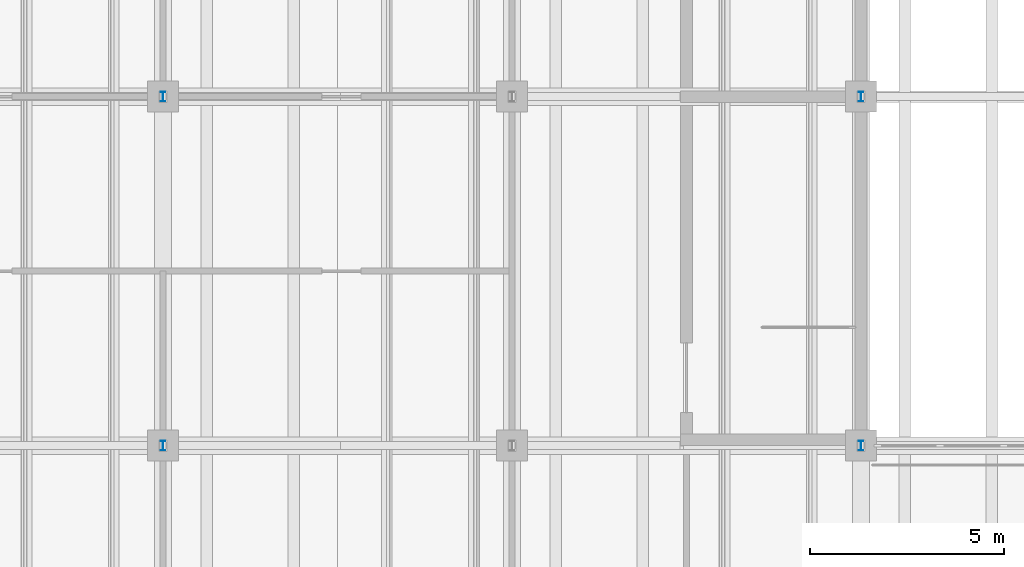
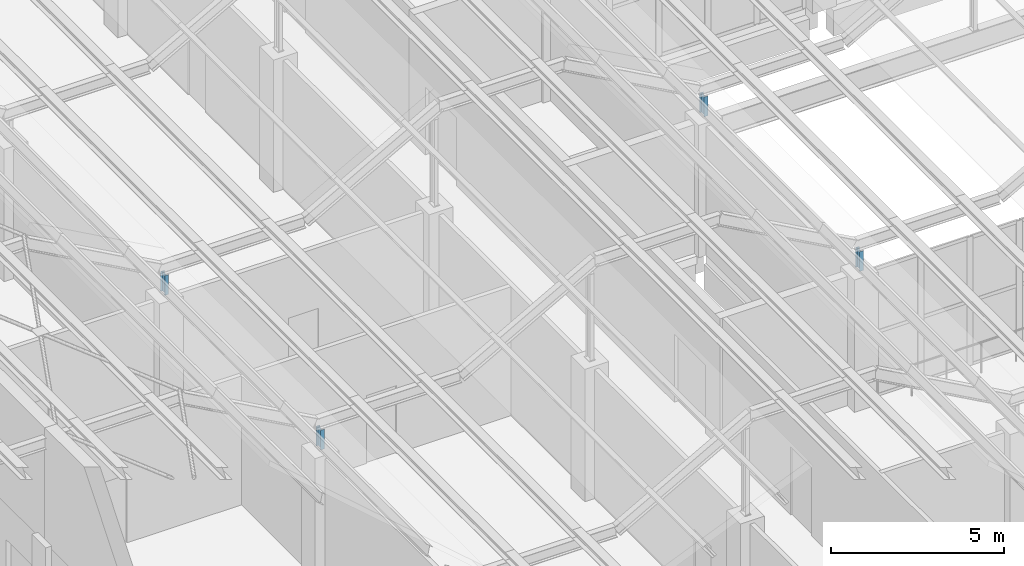
# One storey, part 224 of 437: 4 members.
"""IFC4 building model written with IfcOpenShell, lengths in metres."""

from ifc_helpers import new_model, si_unit, direction, frame, origin, origin_2d, place, context, subcontext, project, spatial, i_section, extrude, material, material_profile, profile_set, type_object, element, save


model = new_model("IFC4")

# Units and contexts
model_context = context("Model", 3, precision=1e-05, world=origin(), true_north=direction((0.0, 1.0)))
body_context = subcontext(model_context, "Body", "Model", "MODEL_VIEW")
ifc_project = project(units=[si_unit("LENGTHUNIT", "METRE"), si_unit("AREAUNIT", "SQUARE_METRE"), si_unit("VOLUMEUNIT", "CUBIC_METRE"), si_unit("PLANEANGLEUNIT", "RADIAN"), si_unit("MASSUNIT", "GRAM", prefix="KILO")], contexts=[model_context])

# Site, building, storey
site_placement = place(None, origin())
site = spatial("IfcSite", under=ifc_project, at=site_placement, CompositionType="ELEMENT")
building_placement = place(site_placement, origin())
building = spatial("IfcBuilding", under=site, at=building_placement, Name="Opaline Strait Convention Centre", CompositionType="ELEMENT")
storey_placement = place(building_placement, frame((0.0, 0.0, 11.5)))
storey = spatial("IfcBuildingStorey", under=building, at=storey_placement, Name="L02", CompositionType="ELEMENT", Elevation=11.5)

# Members
ifc_material = material(Name="Steel Q355B", Category="steel")
ifc_material_profile = material_profile(ifc_material, i_section(OverallWidth=0.125, OverallDepth=0.25, WebThickness=0.006103515625, FlangeThickness=0.009033203125, FilletRadius=0.008056640625, at=origin_2d()), Name="HN 250x125x6x9")
ifc_profile_set = profile_set([ifc_material_profile], Name="Steel Q355B")
member_type = type_object("IfcMemberType", Name="Roof post HN 250x125x6x9", PredefinedType="STRUT", material=ifc_profile_set)
for number, where, z_axis, x_axis, name in (
    (1, (18.0, 45.0, 4.68994140625), (0.0, 0.0, 1.0), (1.0, 0.0, 0.0), "RP1 roof post at 18/45"),
    (2, (36.0, 45.0, 4.68994140625), (0.0, 0.0, 1.0), (1.0, 0.0, 0.0), "RP1 roof post at 36/45"),
    (3, (18.0, 54.0, 4.68994140625), (0.0, 0.0, 1.0), (1.0, 0.0, 0.0), "RP1 roof post at 18/54"),
    (4, (36.0, 54.0, 4.68994140625), (0.0, 0.0, 1.0), (1.0, 0.0, 0.0), "RP1 roof post at 36/54"),
):
    element("IfcMember", number, at=place(storey_placement, frame(where, z_axis=z_axis, x_axis=x_axis)), inside=storey, type_object=member_type, Name=name, PredefinedType="STRUT", context=body_context, shape_type="SweptSolid", body=[
        extrude(i_section(OverallWidth=0.125, OverallDepth=0.25, WebThickness=0.006103515625, FlangeThickness=0.009033203125, FilletRadius=0.008056640625, at=origin_2d()), origin(), (0.0, 0.0, 1.0), 0.695068359375),
    ])

save(model, "model.ifc")
